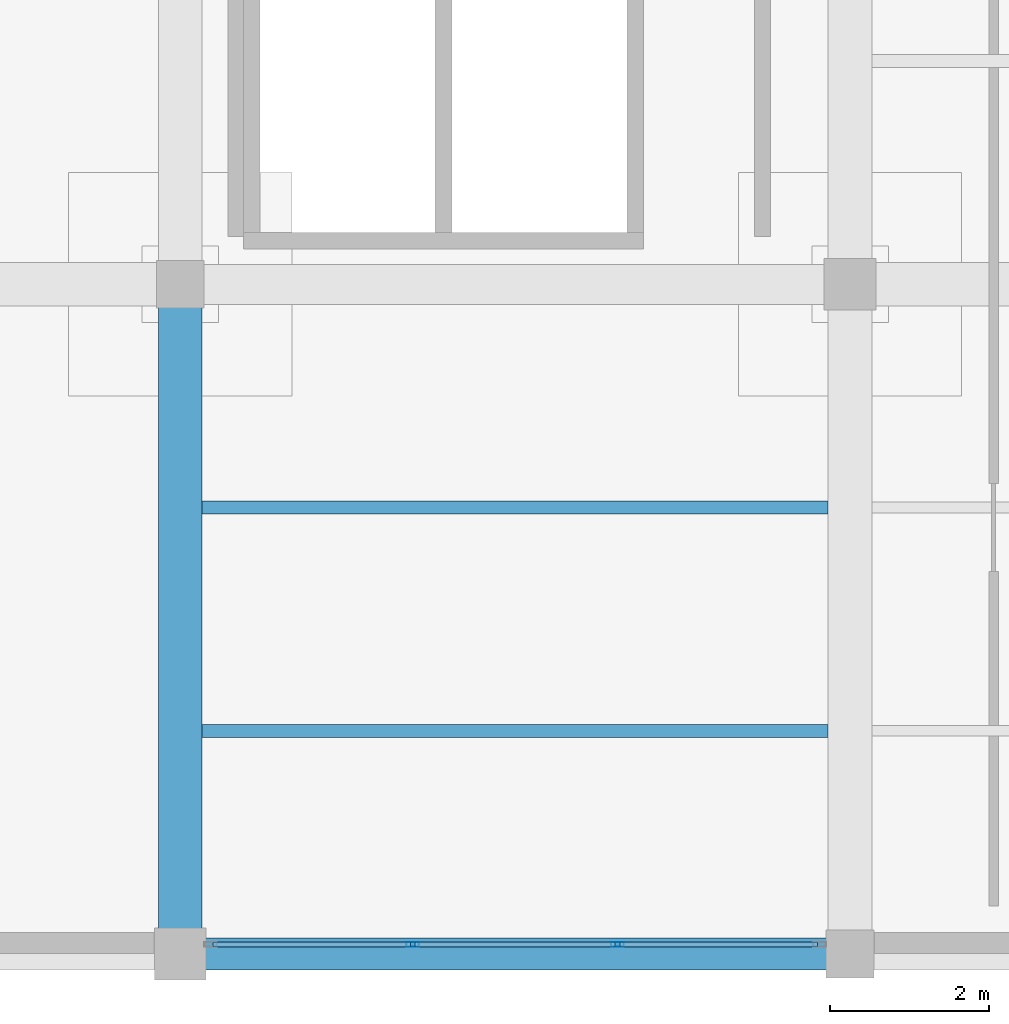
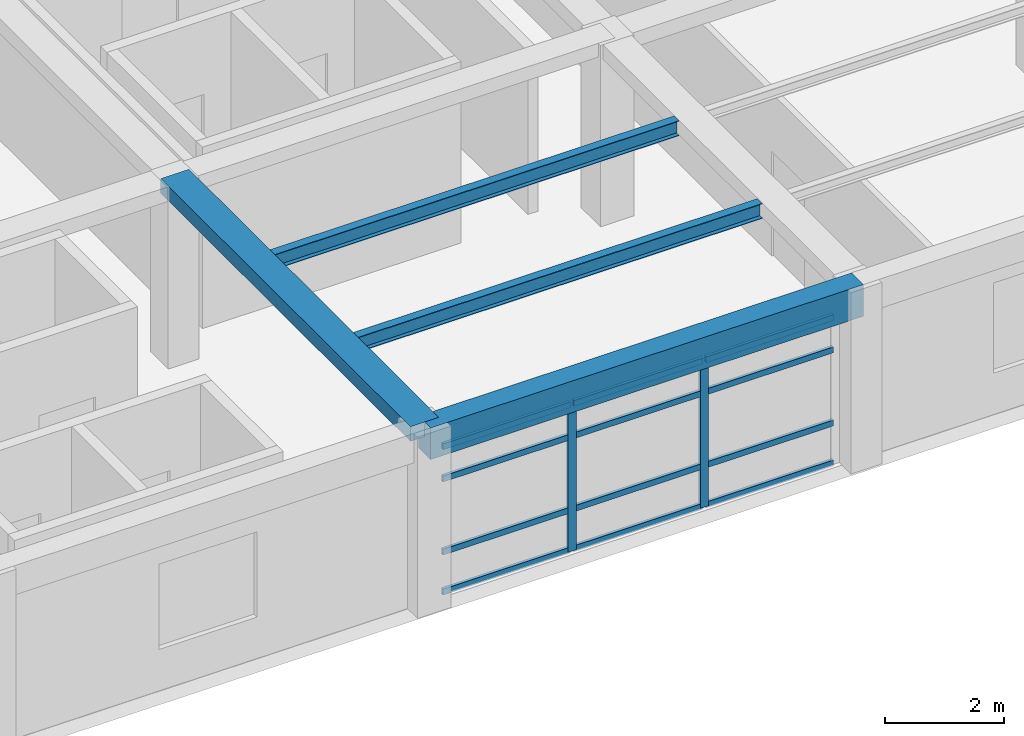
# One storey, part 5 of 26: 14 members, 4 beams, 1 element without a shape of its own.
"""IFC4 building model written with IfcOpenShell, lengths in metres."""

from ifc_helpers import new_model, si_unit, direction, frame, origin, origin_2d, place, context, subcontext, project, spatial, rectangle, hollow_rectangle, i_section, extrude, material, material_profile, profile_set, type_object, element, aggregate, save


model = new_model("IFC4")

# Units and contexts
model_context = context("Model", 3, precision=1e-05, world=origin(), true_north=direction((0.0, 1.0)))
body_context = subcontext(model_context, "Body", "Model", "MODEL_VIEW")
ifc_project = project(units=[si_unit("LENGTHUNIT", "METRE"), si_unit("AREAUNIT", "SQUARE_METRE"), si_unit("VOLUMEUNIT", "CUBIC_METRE"), si_unit("PLANEANGLEUNIT", "RADIAN"), si_unit("MASSUNIT", "GRAM", prefix="KILO")], contexts=[model_context])

# Site, building, storey
site_placement = place(None, origin())
site = spatial("IfcSite", under=ifc_project, at=site_placement, CompositionType="ELEMENT")
building_placement = place(site_placement, origin())
building = spatial("IfcBuilding", under=site, at=building_placement, Name="Almacenes y Pasaje Nevantli", CompositionType="ELEMENT")
storey_placement = place(building_placement, frame((0.0, 0.0, 42.699951171875)))
storey = spatial("IfcBuildingStorey", under=building, at=storey_placement, Name="L10", CompositionType="ELEMENT", Elevation=42.699951171875)

# Beams
ifc_material_1 = material(Name="Concrete C35/45", Category="concrete")
ifc_material_profile_1 = material_profile(ifc_material_1, rectangle(XDim=0.39990234375, YDim=0.64990234375, at=origin_2d()), Name="RC-BM-400x650")
ifc_profile_set_1 = profile_set([ifc_material_profile_1], Name="Concrete C35/45")
beam_type_1 = type_object("IfcBeamType", Name="BM-RC-400x650", PredefinedType="SPANDREL", material=ifc_profile_set_1)
beam_1_placement = place(storey_placement, frame((134.39990234375, 67.199951171875, 3.39501953125), z_axis=(1.0, 0.0, 0.0), x_axis=(0.0, 1.0, 0.0)))
element("IfcBeam", 1, at=beam_1_placement, inside=storey, type_object=beam_type_1, Name="L10 East-West Reinforced Concrete Beam #3799", PredefinedType="SPANDREL", context=body_context, shape_type="SweptSolid", body=[
    extrude(rectangle(XDim=0.39990234375, YDim=0.64990234375, at=origin_2d()), origin(), (0.0, 0.0, 1.0), 8.400146484375),
])
ifc_material_2 = material(Name="Concrete C35/45", Category="concrete")
ifc_material_profile_2 = material_profile(ifc_material_2, rectangle(XDim=0.550048828125, YDim=0.300048828125, at=origin_2d()), Name="RC-BM-550x300")
ifc_profile_set_2 = profile_set([ifc_material_profile_2], Name="Concrete C35/45")
beam_type_2 = type_object("IfcBeamType", Name="BM-RC-550x300", PredefinedType="BEAM", material=ifc_profile_set_2)
beam_2_placement = place(storey_placement, frame((134.39990234375, 67.199951171875, 3.570068359375), z_axis=(0.0, 1.0, 0.0), x_axis=(-1.0, 0.0, 0.0)))
element("IfcBeam", 2, at=beam_2_placement, inside=storey, type_object=beam_type_2, Name="L10 North-South Reinforced Concrete Beam #3829", PredefinedType="BEAM", context=body_context, shape_type="SweptSolid", body=[
    extrude(rectangle(XDim=0.550048828125, YDim=0.300048828125, at=origin_2d()), origin(), (0.0, 0.0, 1.0), 8.400146484375),
])
ifc_material_3 = material(Name="Steel ASTM A992", Category="steel")
ifc_material_profile_3 = material_profile(ifc_material_3, i_section(OverallWidth=0.1650390625, OverallDepth=0.306884765625, WebThickness=0.006591796875, FlangeThickness=0.01025390625, at=origin_2d()), Name="IR 305x44.6")
ifc_profile_set_3 = profile_set([ifc_material_profile_3], Name="Steel ASTM A992")
beam_type_3 = type_object("IfcBeamType", Name="BM-STL-IR-305x44p6", PredefinedType="JOIST", material=ifc_profile_set_3)
for number, where, z_axis, x_axis, name in (
    (3, (134.675048828125, 70.0, 3.55859375), (1.0, 0.0, 0.0), (0.0, 1.0, 0.0), "L10 Secondary Steel Floor Joist #1495"),
    (4, (134.675048828125, 72.800048828125, 3.55859375), (1.0, 0.0, 0.0), (0.0, 1.0, 0.0), "L10 Secondary Steel Floor Joist #1496"),
):
    element("IfcBeam", number, at=place(storey_placement, frame(where, z_axis=z_axis, x_axis=x_axis)), inside=storey, type_object=beam_type_3, Name=name, PredefinedType="JOIST", context=body_context, shape_type="SweptSolid", body=[
        extrude(i_section(OverallWidth=0.1650390625, OverallDepth=0.306884765625, WebThickness=0.006591796875, FlangeThickness=0.01025390625, at=origin_2d()), origin(), (0.0, 0.0, 1.0), 7.849853515625),
    ])

# Curtain wall, members
ifc_material_4 = material(Name="Thermally Broken Aluminium and Low-E Glass", Category="aluminium")
curtain_wall_type = type_object("IfcCurtainWallType", Name="CW-UNIT-TOWER", PredefinedType="USERDEFINED", material=ifc_material_4)
curtain_wall_placement = place(storey_placement, origin())
curtain_wall = element("IfcCurtainWall", 5, at=curtain_wall_placement, inside=storey, type_object=curtain_wall_type, Name="L10 Tower South Unitized Curtain Wall Bay 17", ObjectType="UNITIZED CURTAIN WALL", PredefinedType="USERDEFINED")
ifc_material_5 = material(Name="Thermally Broken Anodized Aluminium", Category="aluminium")
ifc_material_profile_4 = material_profile(ifc_material_5, hollow_rectangle(XDim=0.06005859375, YDim=0.159912109375, WallThickness=0.00390625, at=origin_2d()), Name="ALU-MUL-60x160")
ifc_profile_set_4 = profile_set([ifc_material_profile_4], Name="Thermally Broken Anodized Aluminium")
member_type_1 = type_object("IfcMemberType", Name="CW-MUL-180", PredefinedType="MULLION", material=ifc_profile_set_4)
member_1_placement = place(storey_placement, frame((137.316650390625, 67.320068359375, 0.0), z_axis=(0.0, 0.0, 1.0), x_axis=(0.0, 1.0, 0.0)))
member_1 = element("IfcMember", 6, at=member_1_placement, type_object=member_type_1, Name="CW-L10-143 mullion 2", PredefinedType="MULLION", context=body_context, shape_type="SweptSolid", body=[
    extrude(hollow_rectangle(XDim=0.06005859375, YDim=0.159912109375, WallThickness=0.00390625, at=origin_2d()), origin(), (0.0, 0.0, 1.0), 3.0400390625),
])
member_2_placement = place(storey_placement, frame((139.88330078125, 67.320068359375, 0.0), z_axis=(0.0, 0.0, 1.0), x_axis=(0.0, 1.0, 0.0)))
member_2 = element("IfcMember", 7, at=member_2_placement, type_object=member_type_1, Name="CW-L10-143 mullion 3", PredefinedType="MULLION", context=body_context, shape_type="SweptSolid", body=[
    extrude(hollow_rectangle(XDim=0.06005859375, YDim=0.159912109375, WallThickness=0.00390625, at=origin_2d()), origin(), (0.0, 0.0, 1.0), 3.0400390625),
])
ifc_material_6 = material(Name="Thermally Broken Anodized Aluminium", Category="aluminium")
ifc_material_profile_5 = material_profile(ifc_material_6, hollow_rectangle(XDim=0.06005859375, YDim=0.1201171875, WallThickness=0.00341796875, at=origin_2d()), Name="ALU-TRN-60x120")
ifc_profile_set_5 = profile_set([ifc_material_profile_5], Name="Thermally Broken Anodized Aluminium")
member_type_2 = type_object("IfcMemberType", Name="CW-TRN-130", PredefinedType="USERDEFINED", material=ifc_profile_set_5)
member_3_placement = place(storey_placement, frame((134.81005859375, 67.320068359375, 0.030029296875), z_axis=(1.0, 0.0, 0.0), x_axis=(0.0, 1.0, 0.0)))
member_3 = element("IfcMember", 8, at=member_3_placement, type_object=member_type_2, Name="CW-L10-143 transom 1.1", ObjectType="TRANSOM", PredefinedType="USERDEFINED", context=body_context, shape_type="SweptSolid", body=[
    extrude(hollow_rectangle(XDim=0.06005859375, YDim=0.1201171875, WallThickness=0.00341796875, at=origin_2d()), origin(), (0.0, 0.0, 1.0), 2.4765625),
])
member_4_placement = place(storey_placement, frame((134.81005859375, 67.320068359375, 0.85009765625), z_axis=(1.0, 0.0, 0.0), x_axis=(0.0, 1.0, 0.0)))
member_4 = element("IfcMember", 9, at=member_4_placement, type_object=member_type_2, Name="CW-L10-143 transom 1.2", ObjectType="TRANSOM", PredefinedType="USERDEFINED", context=body_context, shape_type="SweptSolid", body=[
    extrude(hollow_rectangle(XDim=0.06005859375, YDim=0.1201171875, WallThickness=0.00341796875, at=origin_2d()), origin(), (0.0, 0.0, 1.0), 2.4765625),
])
member_5_placement = place(storey_placement, frame((134.81005859375, 67.320068359375, 2.35009765625), z_axis=(1.0, 0.0, 0.0), x_axis=(0.0, 1.0, 0.0)))
member_5 = element("IfcMember", 10, at=member_5_placement, type_object=member_type_2, Name="CW-L10-143 transom 1.3", ObjectType="TRANSOM", PredefinedType="USERDEFINED", context=body_context, shape_type="SweptSolid", body=[
    extrude(hollow_rectangle(XDim=0.06005859375, YDim=0.1201171875, WallThickness=0.00341796875, at=origin_2d()), origin(), (0.0, 0.0, 1.0), 2.4765625),
])
member_6_placement = place(storey_placement, frame((134.81005859375, 67.320068359375, 3.010009765625), z_axis=(1.0, 0.0, 0.0), x_axis=(0.0, 1.0, 0.0)))
member_6 = element("IfcMember", 11, at=member_6_placement, type_object=member_type_2, Name="CW-L10-143 transom 1.4", ObjectType="TRANSOM", PredefinedType="USERDEFINED", context=body_context, shape_type="SweptSolid", body=[
    extrude(hollow_rectangle(XDim=0.06005859375, YDim=0.1201171875, WallThickness=0.00341796875, at=origin_2d()), origin(), (0.0, 0.0, 1.0), 2.4765625),
])
member_7_placement = place(storey_placement, frame((137.3466796875, 67.320068359375, 0.030029296875), z_axis=(1.0, 0.0, 0.0), x_axis=(0.0, 1.0, 0.0)))
member_7 = element("IfcMember", 12, at=member_7_placement, type_object=member_type_2, Name="CW-L10-143 transom 2.1", ObjectType="TRANSOM", PredefinedType="USERDEFINED", context=body_context, shape_type="SweptSolid", body=[
    extrude(hollow_rectangle(XDim=0.06005859375, YDim=0.1201171875, WallThickness=0.00341796875, at=origin_2d()), origin(), (0.0, 0.0, 1.0), 2.506591796875),
])
member_8_placement = place(storey_placement, frame((137.3466796875, 67.320068359375, 0.85009765625), z_axis=(1.0, 0.0, 0.0), x_axis=(0.0, 1.0, 0.0)))
member_8 = element("IfcMember", 13, at=member_8_placement, type_object=member_type_2, Name="CW-L10-143 transom 2.2", ObjectType="TRANSOM", PredefinedType="USERDEFINED", context=body_context, shape_type="SweptSolid", body=[
    extrude(hollow_rectangle(XDim=0.06005859375, YDim=0.1201171875, WallThickness=0.00341796875, at=origin_2d()), origin(), (0.0, 0.0, 1.0), 2.506591796875),
])
member_9_placement = place(storey_placement, frame((137.3466796875, 67.320068359375, 2.35009765625), z_axis=(1.0, 0.0, 0.0), x_axis=(0.0, 1.0, 0.0)))
member_9 = element("IfcMember", 14, at=member_9_placement, type_object=member_type_2, Name="CW-L10-143 transom 2.3", ObjectType="TRANSOM", PredefinedType="USERDEFINED", context=body_context, shape_type="SweptSolid", body=[
    extrude(hollow_rectangle(XDim=0.06005859375, YDim=0.1201171875, WallThickness=0.00341796875, at=origin_2d()), origin(), (0.0, 0.0, 1.0), 2.506591796875),
])
member_10_placement = place(storey_placement, frame((137.3466796875, 67.320068359375, 3.010009765625), z_axis=(1.0, 0.0, 0.0), x_axis=(0.0, 1.0, 0.0)))
member_10 = element("IfcMember", 15, at=member_10_placement, type_object=member_type_2, Name="CW-L10-143 transom 2.4", ObjectType="TRANSOM", PredefinedType="USERDEFINED", context=body_context, shape_type="SweptSolid", body=[
    extrude(hollow_rectangle(XDim=0.06005859375, YDim=0.1201171875, WallThickness=0.00341796875, at=origin_2d()), origin(), (0.0, 0.0, 1.0), 2.506591796875),
])
member_11_placement = place(storey_placement, frame((139.913330078125, 67.320068359375, 0.030029296875), z_axis=(1.0, 0.0, 0.0), x_axis=(0.0, 1.0, 0.0)))
member_11 = element("IfcMember", 16, at=member_11_placement, type_object=member_type_2, Name="CW-L10-143 transom 3.1", ObjectType="TRANSOM", PredefinedType="USERDEFINED", context=body_context, shape_type="SweptSolid", body=[
    extrude(hollow_rectangle(XDim=0.06005859375, YDim=0.1201171875, WallThickness=0.00341796875, at=origin_2d()), origin(), (0.0, 0.0, 1.0), 2.4765625),
])
member_12_placement = place(storey_placement, frame((139.913330078125, 67.320068359375, 0.85009765625), z_axis=(1.0, 0.0, 0.0), x_axis=(0.0, 1.0, 0.0)))
member_12 = element("IfcMember", 17, at=member_12_placement, type_object=member_type_2, Name="CW-L10-143 transom 3.2", ObjectType="TRANSOM", PredefinedType="USERDEFINED", context=body_context, shape_type="SweptSolid", body=[
    extrude(hollow_rectangle(XDim=0.06005859375, YDim=0.1201171875, WallThickness=0.00341796875, at=origin_2d()), origin(), (0.0, 0.0, 1.0), 2.4765625),
])
member_13_placement = place(storey_placement, frame((139.913330078125, 67.320068359375, 2.35009765625), z_axis=(1.0, 0.0, 0.0), x_axis=(0.0, 1.0, 0.0)))
member_13 = element("IfcMember", 18, at=member_13_placement, type_object=member_type_2, Name="CW-L10-143 transom 3.3", ObjectType="TRANSOM", PredefinedType="USERDEFINED", context=body_context, shape_type="SweptSolid", body=[
    extrude(hollow_rectangle(XDim=0.06005859375, YDim=0.1201171875, WallThickness=0.00341796875, at=origin_2d()), origin(), (0.0, 0.0, 1.0), 2.4765625),
])
member_14_placement = place(storey_placement, frame((139.913330078125, 67.320068359375, 3.010009765625), z_axis=(1.0, 0.0, 0.0), x_axis=(0.0, 1.0, 0.0)))
member_14 = element("IfcMember", 19, at=member_14_placement, type_object=member_type_2, Name="CW-L10-143 transom 3.4", ObjectType="TRANSOM", PredefinedType="USERDEFINED", context=body_context, shape_type="SweptSolid", body=[
    extrude(hollow_rectangle(XDim=0.06005859375, YDim=0.1201171875, WallThickness=0.00341796875, at=origin_2d()), origin(), (0.0, 0.0, 1.0), 2.4765625),
])
aggregate(curtain_wall, [member_1, member_2, member_3, member_4, member_5, member_6, member_7, member_8, member_9, member_10, member_11, member_12, member_13, member_14])

save(model, "model.ifc")
